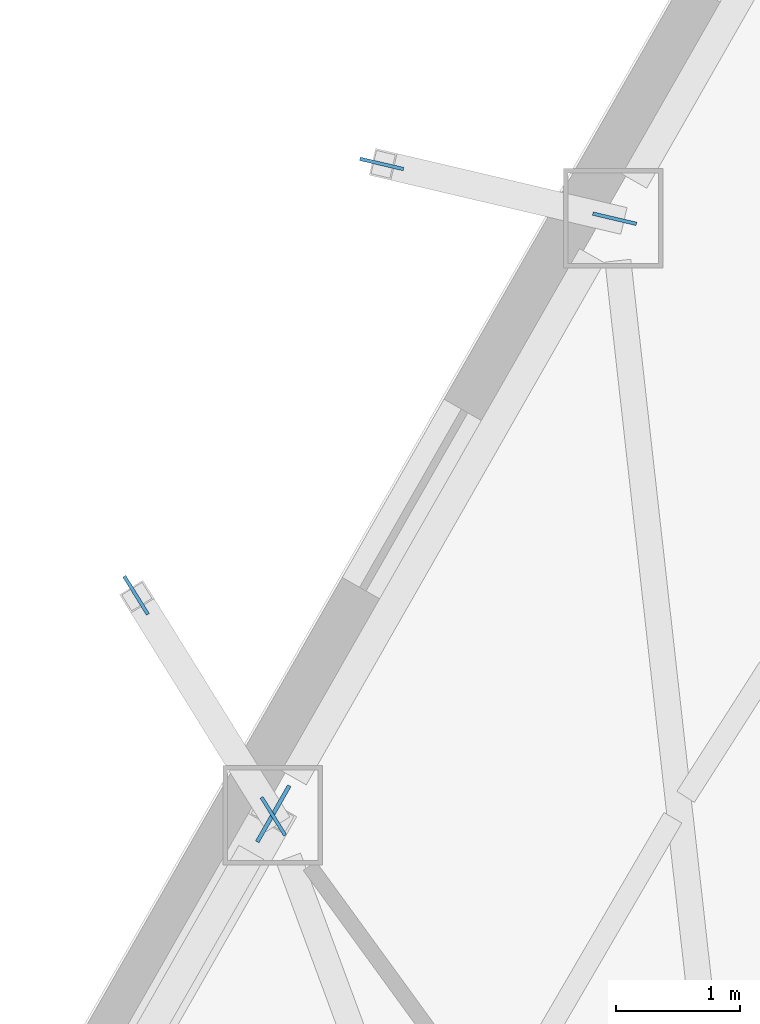
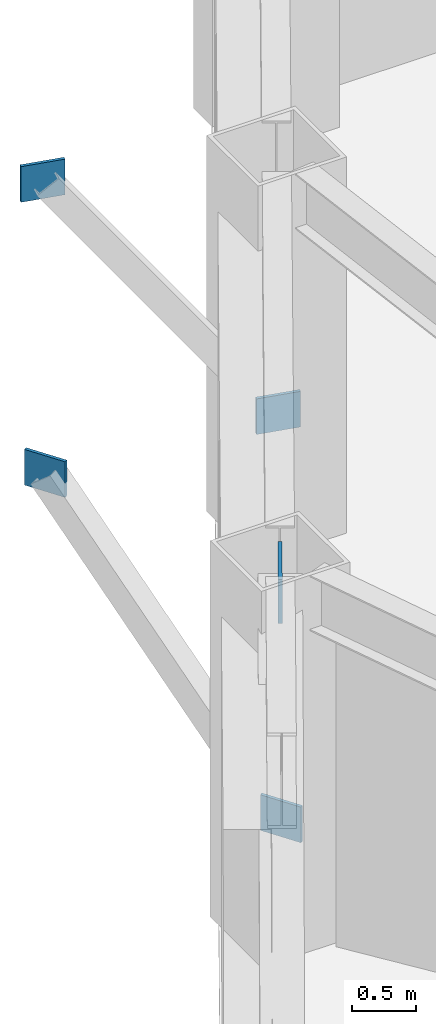
# One storey, part 7 of 12: 5 plates.
"""IFC4 building model written with IfcOpenShell, lengths in metres."""

from ifc_helpers import new_model, si_unit, direction, frame, origin, origin_2d, place, context, subcontext, project, spatial, rectangle, extrude, material, layer, layer_set, type_object, element, save


model = new_model("IFC4")

# Units and contexts
model_context = context("Model", 3, precision=1e-05, world=origin(), true_north=direction((0.0, 1.0)))
body_context = subcontext(model_context, "Body", "Model", "MODEL_VIEW")
ifc_project = project(units=[si_unit("LENGTHUNIT", "METRE"), si_unit("AREAUNIT", "SQUARE_METRE"), si_unit("VOLUMEUNIT", "CUBIC_METRE"), si_unit("PLANEANGLEUNIT", "RADIAN"), si_unit("MASSUNIT", "GRAM", prefix="KILO")], contexts=[model_context])

# Site, building, storey
site_placement = place(None, origin())
site = spatial("IfcSite", under=ifc_project, at=site_placement, CompositionType="ELEMENT")
building_placement = place(site_placement, origin())
building = spatial("IfcBuilding", under=site, at=building_placement, Name="Kavelnor Concourse Tower", CompositionType="ELEMENT")
storey_placement = place(building_placement, frame((0.0, 0.0, 29.10009765625)))
storey = spatial("IfcBuildingStorey", under=building, at=storey_placement, Name="L07", CompositionType="ELEMENT", Elevation=29.10009765625)

# Plates
ifc_material = material(Name="Steel Grade 350", Category="steel")
ifc_layer_1 = layer(ifc_material, 0.028076171875, Name="Steel Grade 350")
ifc_layer_set_1 = layer_set([ifc_layer_1], Name="Steel Grade 350")
plate_type_1 = type_object("IfcPlateType", Name="PL-GUSSET-FOLD", PredefinedType="USERDEFINED", material=ifc_layer_set_1)
for number, where, z_axis, x_axis, name in (
    (1, (27.43408203125, 39.187744140625, 0.8798828125), (0.0, 0.0, 1.0), (-0.97341924665, 0.229030500703, 0.0), "L07 Balcony Strut Gusset GP4 2-A End Gusset A"),
    (2, (25.56201171875, 39.6279296875, 3.48486328125), (0.0, 0.0, 1.0), (-0.97341924665, 0.229030500703, 0.0), "L07 Balcony Strut Gusset GP4 2-A End Gusset B"),
    (3, (24.690673828125, 34.383544921875, 0.8798828125), (0.0, 0.0, 1.0), (-0.527697266042, 0.849432513748, 0.0), "L07 Balcony Strut Gusset GP4 2-B End Gusset A"),
    (4, (23.58740234375, 36.159912109375, 3.48486328125), (0.0, 0.0, 1.0), (-0.527697266042, 0.849432513748, 0.0), "L07 Balcony Strut Gusset GP4 2-B End Gusset B"),
):
    element("IfcPlate", number, at=place(storey_placement, frame(where, z_axis=z_axis, x_axis=x_axis)), inside=storey, type_object=plate_type_1, Name=name, ObjectType="GUSSET_PLATE", PredefinedType="USERDEFINED", context=body_context, shape_type="SweptSolid", body=[
        extrude(rectangle(XDim=0.360107421875, YDim=0.028076171875, at=origin_2d()), origin(), (0.0, 0.0, 1.0), 0.340087890625),
    ])
ifc_layer_2 = layer(ifc_material, 0.031982421875, Name="Steel Grade 350")
ifc_layer_set_2 = layer_set([ifc_layer_2], Name="Steel Grade 350")
plate_type_2 = type_object("IfcPlateType", Name="PL-GUSSET-TUBE-Z1", PredefinedType="USERDEFINED", material=ifc_layer_set_2)
plate_placement = place(storey_placement, frame((24.690185546875, 34.404052734375, 3.073974609375), z_axis=(0.0, 0.0, 1.0), x_axis=(0.495761847839, 0.86845851382, 0.0)))
element("IfcPlate", 5, at=plate_placement, inside=storey, type_object=plate_type_2, Name="L07 Tube Brace Gusset GP3 F0-B2 End Gusset B", ObjectType="GUSSET_PLATE", PredefinedType="USERDEFINED", context=body_context, shape_type="SweptSolid", body=[
    extrude(rectangle(XDim=0.52001953125, YDim=0.031982421875, at=origin_2d()), origin(), (0.0, 0.0, 1.0), 0.419921875),
])

save(model, "model.ifc")
